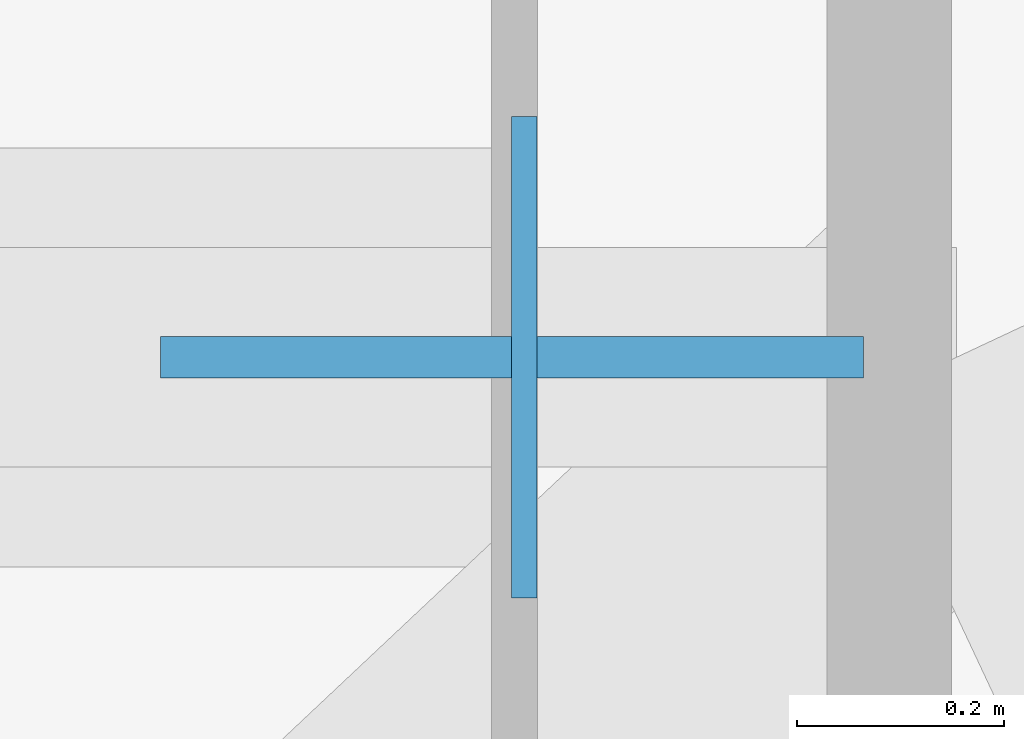
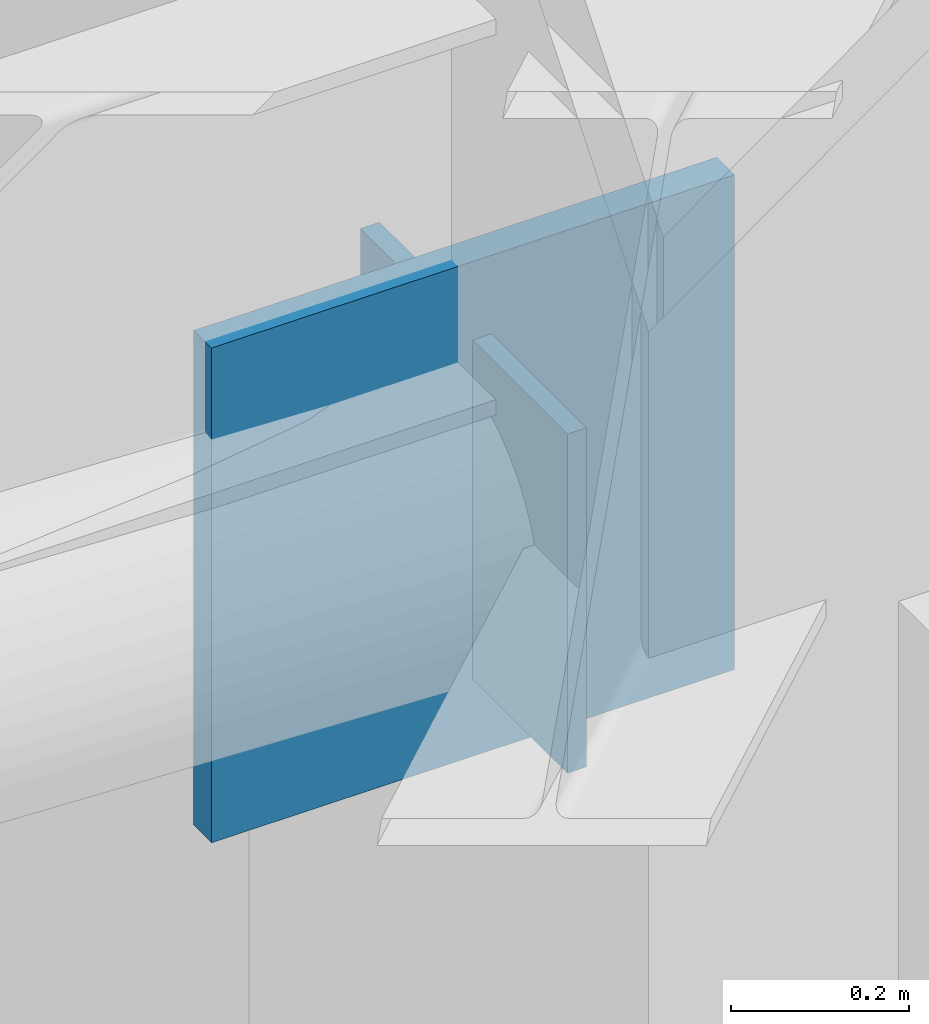
# One storey, part 4 of 11: 2 plates.
"""IFC4 building model written with IfcOpenShell, lengths in metres."""

from ifc_helpers import new_model, si_unit, direction, frame, origin, origin_2d, place, context, subcontext, project, spatial, rectangle, extrude, material, layer, layer_set, type_object, element, save


model = new_model("IFC4")

# Units and contexts
model_context = context("Model", 3, precision=1e-05, world=origin(), true_north=direction((0.0, 1.0)))
body_context = subcontext(model_context, "Body", "Model", "MODEL_VIEW")
ifc_project = project(units=[si_unit("LENGTHUNIT", "METRE"), si_unit("AREAUNIT", "SQUARE_METRE"), si_unit("VOLUMEUNIT", "CUBIC_METRE"), si_unit("PLANEANGLEUNIT", "RADIAN"), si_unit("MASSUNIT", "GRAM", prefix="KILO")], contexts=[model_context])

# Site, building, storey
site_placement = place(None, origin())
site = spatial("IfcSite", under=ifc_project, at=site_placement, CompositionType="ELEMENT")
building_placement = place(site_placement, origin())
building = spatial("IfcBuilding", under=site, at=building_placement, Name="Khamvora Tower", CompositionType="ELEMENT")
storey_placement = place(building_placement, frame((0.0, 0.0, 185.10009765625)))
storey = spatial("IfcBuildingStorey", under=building, at=storey_placement, Name="L47", CompositionType="ELEMENT", Elevation=185.10009765625)

# Plates
ifc_material_1 = material(Name="Steel S355", Category="steel")
ifc_layer_1 = layer(ifc_material_1, 0.02490234375)
ifc_layer_set_1 = layer_set([ifc_layer_1], Name="Steel S355")
plate_type_1 = type_object("IfcPlateType", Name="PL-CAP-25", PredefinedType="SHEET", material=ifc_layer_set_1)
plate_1_placement = place(storey_placement, frame((56.33203125, 44.5, 2.4638671875), z_axis=(0.0, 0.0, 1.0), x_axis=(-1.0, 0.0, 0.0)))
element("IfcPlate", 1, at=plate_1_placement, inside=storey, type_object=plate_type_1, Name="L47 hollow section steel end cap plate 0970", PredefinedType="SHEET", context=body_context, shape_type="SweptSolid", body=[
    extrude(rectangle(XDim=0.02490234375, YDim=0.466064453125, at=origin_2d()), origin(), (0.0, 0.0, 1.0), 0.466064453125),
])
ifc_material_2 = material(Name="Steel S460", Category="steel")
ifc_layer_2 = layer(ifc_material_2, 0.0400390625)
ifc_layer_set_2 = layer_set([ifc_layer_2], Name="Steel S460")
plate_type_2 = type_object("IfcPlateType", Name="PLT-GUS-40", PredefinedType="SHEET", material=ifc_layer_set_2)
plate_2_placement = place(storey_placement, frame((56.320068359375, 44.5, 2.35791015625), z_axis=(0.0, 0.0, 1.0), x_axis=(1.0, 0.0, 0.0)))
element("IfcPlate", 2, at=plate_2_placement, inside=storey, type_object=plate_type_2, Name="L47 brace connection node gusset plate 0307", PredefinedType="SHEET", context=body_context, shape_type="SweptSolid", body=[
    extrude(rectangle(XDim=0.679931640625, YDim=0.0400390625, at=origin_2d()), origin(), (0.0, 0.0, 1.0), 0.679931640625),
])

save(model, "model.ifc")
